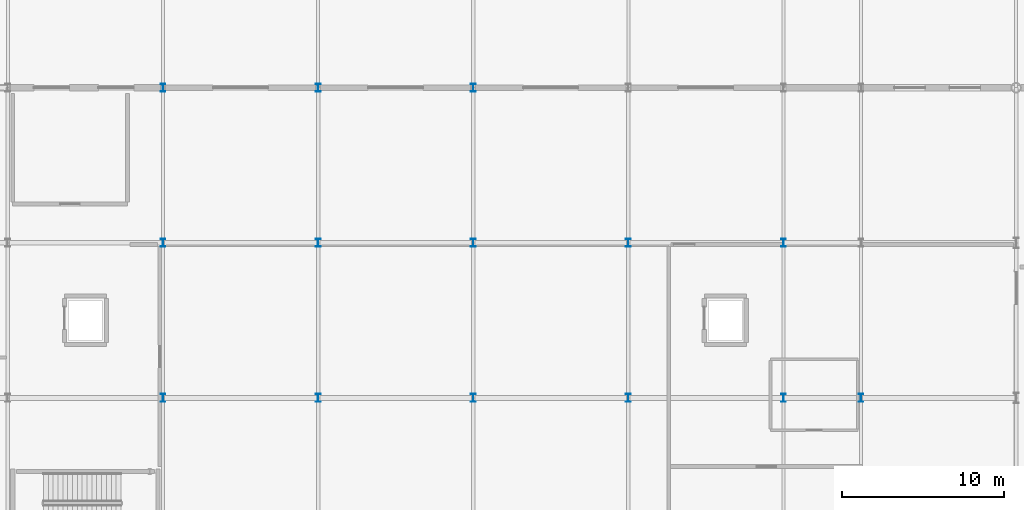
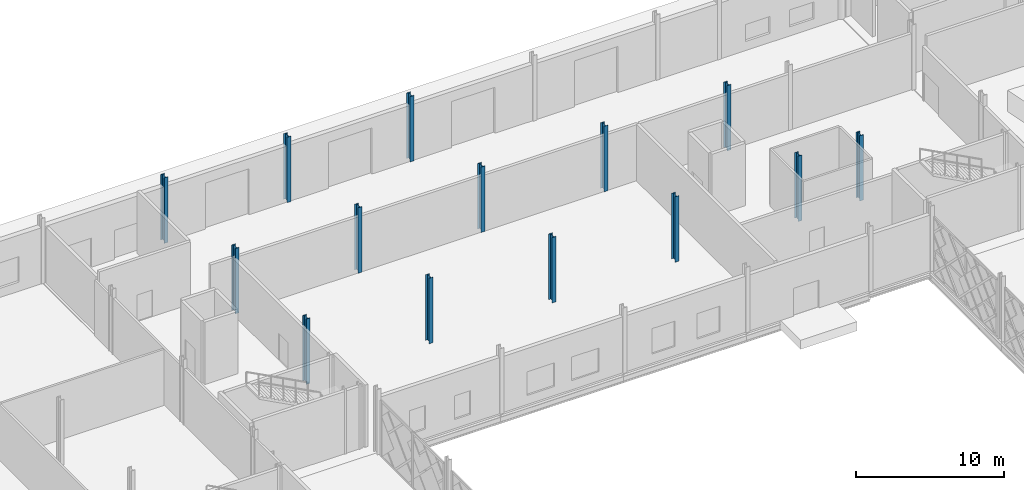
# One storey, part 18 of 84: 14 columns.
"""IFC4 building model written with IfcOpenShell, lengths in metres."""

import ifcopenshell
import ifcopenshell.guid

model = None  # the IFC model being written
_history = None  # IfcOwnerHistory: only IFC2X3 demands one
_inside = {}  # id of a spatial element -> (the spatial element, [elements in it])
_under = {}  # id of a project, library or spatial element -> (it, [spatial elements below it])
_declared = {}  # id of a project -> (the project, [libraries it declares])
_typed = {}  # id of a type object -> (the type object, [elements of that type])
_made_of = {}  # id of a material, layer set ... -> (it, [elements and type objects made of it])


def new_model(schema):
    """Start an empty IFC model of exactly this schema.

    Asked for "IFC4X3", IfcOpenShell would pick the latest addendum, in which some entities
    have other attributes; the version numbers below select the first issue.
    IFC2X3 requires an IfcOwnerHistory on every rooted entity: one is made here for all.
    """
    global model, _history
    if schema == "IFC4X3":
        model = ifcopenshell.file(schema_version=(4, 3, 0, 0))
    else:
        model = ifcopenshell.file(schema=schema)
    _inside.clear()
    _under.clear()
    _declared.clear()
    _typed.clear()
    _made_of.clear()
    _history = None
    if model.schema == "IFC2X3":
        org = make("IfcOrganization", Name="unknown")
        user = make(
            "IfcPersonAndOrganization",
            ThePerson=make("IfcPerson", FamilyName="unknown"),
            TheOrganization=org,
        )
        app = make(
            "IfcApplication",
            ApplicationDeveloper=org,
            Version="unknown",
            ApplicationFullName="unknown",
            ApplicationIdentifier="unknown",
        )
        _history = make(
            "IfcOwnerHistory",
            OwningUser=user,
            OwningApplication=app,
            ChangeAction="ADDED",
            CreationDate=0,
        )
    return model


def make(cls, **values):
    """One entity of the class cls with the attributes given. An attribute that is None is left unset."""
    return model.create_entity(
        cls, **{name: value for name, value in values.items() if value is not None}
    )


def rooted(cls, **values):
    """An entity with a GlobalId (a new one), such as an element, a storey or a relation."""
    return make(cls, GlobalId=ifcopenshell.guid.new(), OwnerHistory=_history, **values)


def si_unit(unit_type, name, prefix=None):
    """IfcSIUnit, for example si_unit("LENGTHUNIT", "METRE", prefix="MILLI")."""
    return make("IfcSIUnit", UnitType=unit_type, Prefix=prefix, Name=name)


def assignment(units):
    """IfcUnitAssignment: the units of a project."""
    return None if units is None else make("IfcUnitAssignment", Units=units)


def point(xyz):
    """IfcCartesianPoint."""
    return None if xyz is None else make("IfcCartesianPoint", Coordinates=xyz)


def direction(xyz):
    """IfcDirection."""
    return None if xyz is None else make("IfcDirection", DirectionRatios=xyz)


def frame(location, z_axis=None, x_axis=None):
    """IfcAxis2Placement3D, a coordinate frame: its origin and axes. An axis left out is left unset."""
    return make(
        "IfcAxis2Placement3D",
        Location=point(location),
        Axis=direction(z_axis),
        RefDirection=direction(x_axis),
    )


def frame_2d(location, x_axis=None):
    """IfcAxis2Placement2D, a coordinate frame in the plane: its origin and x axis."""
    return make(
        "IfcAxis2Placement2D", Location=point(location), RefDirection=direction(x_axis)
    )


def origin():
    """The frame at (0, 0, 0) with its axes left unset."""
    return frame((0.0, 0.0, 0.0))


def origin_2d():
    """The frame at (0, 0) in the plane with its x axis left unset."""
    return frame_2d((0.0, 0.0))


def place(relative_to, where):
    """IfcLocalPlacement: puts the frame where relative to a parent placement (None: the world)."""
    return make(
        "IfcLocalPlacement", PlacementRelTo=relative_to, RelativePlacement=where
    )


def context(
    kind, dimensions, precision=None, world=None, true_north=None, identifier=None
):
    """IfcGeometricRepresentationContext, for example the 3D "Model" context."""
    return make(
        "IfcGeometricRepresentationContext",
        ContextIdentifier=identifier,
        ContextType=kind,
        CoordinateSpaceDimension=dimensions,
        Precision=precision,
        WorldCoordinateSystem=world,
        TrueNorth=true_north,
    )


def subcontext(parent, identifier, kind, view, scale=None):
    """IfcGeometricRepresentationSubContext, for example "Body" below "Model"."""
    return make(
        "IfcGeometricRepresentationSubContext",
        ContextIdentifier=identifier,
        ContextType=kind,
        ParentContext=parent,
        TargetScale=scale,
        TargetView=view,
    )


def project(units=None, contexts=None):
    """IfcProject with its units and contexts."""
    return rooted(
        "IfcProject",
        Name="project",
        RepresentationContexts=contexts,
        UnitsInContext=assignment(units),
    )


def spatial(cls, under=None, at=None, **own):
    """A site, building, storey or space (cls), placed at a placement, below another one or the project."""
    s = rooted(cls, ObjectPlacement=at, **own)
    if under is not None:
        _under.setdefault(under.id(), (under, []))[1].append(s)
    return s


def profile(cls, at=None, kind="AREA", **sizes):
    """A parametric profile (cls). Its sizes go by their IFC names, for example OverallWidth=200.0."""
    return make(cls, ProfileType=kind, Position=at, **sizes)


def i_section(**sizes):
    """IfcIShapeProfileDef."""
    return profile("IfcIShapeProfileDef", **sizes)


def extrude(swept, where, along, depth):
    """IfcExtrudedAreaSolid: the profile swept, set in the frame where, extruded along a direction by depth."""
    return make(
        "IfcExtrudedAreaSolid",
        SweptArea=swept,
        Position=where,
        ExtrudedDirection=direction(along),
        Depth=depth,
    )


def shape(context_of_items, identifier, shape_type, items):
    """IfcShapeRepresentation: the items that make up one representation, for example the "Body"."""
    return make(
        "IfcShapeRepresentation",
        ContextOfItems=context_of_items,
        RepresentationIdentifier=identifier,
        RepresentationType=shape_type,
        Items=items,
    )


def material(Name=None, Category=None):
    """IfcMaterial."""
    return make("IfcMaterial", Name=Name, Category=Category)


def material_profile(
    of_material, cross_section, Name=None, Category=None, Priority=None
):
    """IfcMaterialProfile: a cross section and its material."""
    return make(
        "IfcMaterialProfile",
        Name=Name,
        Material=of_material,
        Profile=cross_section,
        Priority=Priority,
        Category=Category,
    )


def profile_set(profiles, Name=None, composite=None):
    """IfcMaterialProfileSet."""
    return make(
        "IfcMaterialProfileSet",
        Name=Name,
        MaterialProfiles=profiles,
        CompositeProfile=composite,
    )


def made_of(thing, what):
    """Note that an element or type object is made of a material, layer set ...; save() writes the relation."""
    if what is not None:
        _made_of.setdefault(what.id(), (what, []))[1].append(thing)
    return thing


def type_object(cls, material=None, **own):
    """A type object (cls), such as IfcWallType, which elements share."""
    return made_of(rooted(cls, **own), material)


def element(
    cls,
    number,
    at=None,
    inside=None,
    cuts=None,
    type_object=None,
    material=None,
    context=None,
    identifier="Body",
    shape_type=None,
    held_by="IfcProductDefinitionShape",
    body=None,
    shapes=None,
    **own,
):
    """One element of the class cls, such as IfcWall. Its Tag is "e" and its number.

    at: its placement. inside: the storey or other place that contains it. cuts: it is an
    opening in that element (IfcRelVoidsElement). A single representation is given by context,
    identifier, shape_type and body (its items); several are given by shapes. held_by: the class
    of the entity that holds the representations. save() writes the other relations.
    """
    e = rooted(cls, Tag="e%d" % number, ObjectPlacement=at, **own)
    if body is not None:
        shapes = [shape(context, identifier, shape_type, body)]
    if shapes is not None:
        e.Representation = make(held_by, Representations=shapes)
    if inside is not None:
        _inside.setdefault(inside.id(), (inside, []))[1].append(e)
    if cuts is not None:
        rooted(
            "IfcRelVoidsElement", RelatingBuildingElement=cuts, RelatedOpeningElement=e
        )
    if type_object is not None:
        _typed.setdefault(type_object.id(), (type_object, []))[1].append(e)
    return made_of(e, material)


def aggregate(whole, parts):
    """IfcRelAggregates: a whole, such as a stair, and the parts it consists of."""
    return rooted("IfcRelAggregates", RelatingObject=whole, RelatedObjects=parts)


def save(model, path):
    """Write the relations noted so far, then the file.

    IfcRelAggregates (storeys below a building ...), IfcRelContainedInSpatialStructure (elements
    in a storey), IfcRelDefinesByType, IfcRelAssociatesMaterial and IfcRelDeclares: one each for
    every whole, place, type object, material and project.
    """
    for whole, parts in _under.values():
        aggregate(whole, parts)
    for where, things in _inside.values():
        rooted(
            "IfcRelContainedInSpatialStructure",
            RelatedElements=things,
            RelatingStructure=where,
        )
    for kind, things in _typed.values():
        rooted("IfcRelDefinesByType", RelatedObjects=things, RelatingType=kind)
    for what, things in _made_of.values():
        rooted("IfcRelAssociatesMaterial", RelatedObjects=things, RelatingMaterial=what)
    for by, libraries in _declared.values():
        rooted("IfcRelDeclares", RelatingContext=by, RelatedDefinitions=libraries)
    model.write(path)


model = new_model("IFC4")

# Units and contexts
model_context = context("Model", 3, precision=1e-05, world=origin(), true_north=direction((0.0, 1.0)))
body_context = subcontext(model_context, "Body", "Model", "MODEL_VIEW")
ifc_project = project(units=[si_unit("LENGTHUNIT", "METRE"), si_unit("AREAUNIT", "SQUARE_METRE"), si_unit("VOLUMEUNIT", "CUBIC_METRE"), si_unit("PLANEANGLEUNIT", "RADIAN"), si_unit("MASSUNIT", "GRAM", prefix="KILO")], contexts=[model_context])

# Site, building, storey
site_placement = place(None, origin())
site = spatial("IfcSite", under=ifc_project, at=site_placement, CompositionType="ELEMENT")
building_placement = place(site_placement, origin())
building = spatial("IfcBuilding", under=site, at=building_placement, Name="Zevrakil Square Congress Hotel", CompositionType="ELEMENT")
storey_placement = place(building_placement, origin())
storey = spatial("IfcBuildingStorey", under=building, at=storey_placement, Name="L01", CompositionType="ELEMENT", Elevation=0.0)

# Columns
ifc_material = material(Name="Steel S355", Category="steel")
ifc_material_profile = material_profile(ifc_material, i_section(OverallWidth=0.300048828125, OverallDepth=0.5, WebThickness=0.014404296875, FlangeThickness=0.028076171875, FilletRadius=0.027099609375, at=origin_2d()), Name="HEB 500")
ifc_profile_set = profile_set([ifc_material_profile], Name="Steel S355")
column_type = type_object("IfcColumnType", Name="COL-HEB500", PredefinedType="COLUMN", material=ifc_profile_set)
for number, where, z_axis, x_axis, name in (
    (1, (64.800048828125, 93.60009765625, 0.0), (0.0, 0.0, 1.0), (1.0, 0.0, 0.0), "L01 column C-109"),
    (2, (64.800048828125, 103.199951171875, 0.0), (0.0, 0.0, 1.0), (1.0, 0.0, 0.0), "L01 column C-110"),
    (3, (64.800048828125, 112.800048828125, 0.0), (0.0, 0.0, 1.0), (1.0, 0.0, 0.0), "L01 column C-111"),
    (4, (74.39990234375, 93.60009765625, 0.0), (0.0, 0.0, 1.0), (1.0, 0.0, 0.0), "L01 column C-121"),
    (5, (74.39990234375, 103.199951171875, 0.0), (0.0, 0.0, 1.0), (1.0, 0.0, 0.0), "L01 column C-122"),
    (6, (74.39990234375, 112.800048828125, 0.0), (0.0, 0.0, 1.0), (1.0, 0.0, 0.0), "L01 column C-123"),
    (7, (84.0, 93.60009765625, 0.0), (0.0, 0.0, 1.0), (1.0, 0.0, 0.0), "L01 column C-133"),
    (8, (84.0, 103.199951171875, 0.0), (0.0, 0.0, 1.0), (1.0, 0.0, 0.0), "L01 column C-134"),
    (9, (84.0, 112.800048828125, 0.0), (0.0, 0.0, 1.0), (1.0, 0.0, 0.0), "L01 column C-135"),
    (10, (93.60009765625, 93.60009765625, 0.0), (0.0, 0.0, 1.0), (1.0, 0.0, 0.0), "L01 column C-145"),
    (11, (93.60009765625, 103.199951171875, 0.0), (0.0, 0.0, 1.0), (1.0, 0.0, 0.0), "L01 column C-146"),
    (12, (103.199951171875, 93.60009765625, 0.0), (0.0, 0.0, 1.0), (1.0, 0.0, 0.0), "L01 column C-159"),
    (13, (103.199951171875, 103.199951171875, 0.0), (0.0, 0.0, 1.0), (1.0, 0.0, 0.0), "L01 column C-160"),
    (14, (108.0, 93.60009765625, 0.0), (0.0, 0.0, 1.0), (1.0, 0.0, 0.0), "L01 column C-173"),
):
    element("IfcColumn", number, at=place(storey_placement, frame(where, z_axis=z_axis, x_axis=x_axis)), inside=storey, type_object=column_type, Name=name, PredefinedType="COLUMN", context=body_context, shape_type="SweptSolid", body=[
        extrude(i_section(OverallWidth=0.300048828125, OverallDepth=0.5, WebThickness=0.014404296875, FlangeThickness=0.028076171875, FilletRadius=0.027099609375, at=origin_2d()), origin(), (0.0, 0.0, 1.0), 5.39990234375),
    ])

save(model, "model.ifc")
